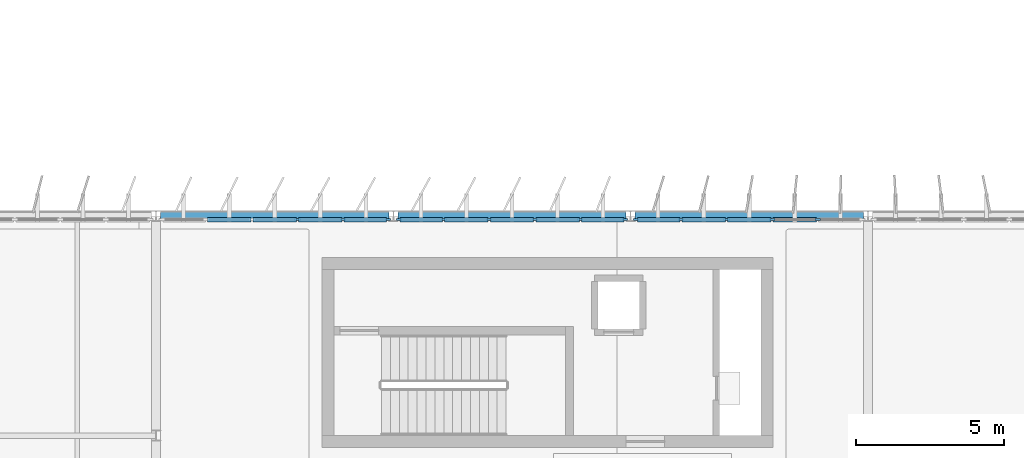
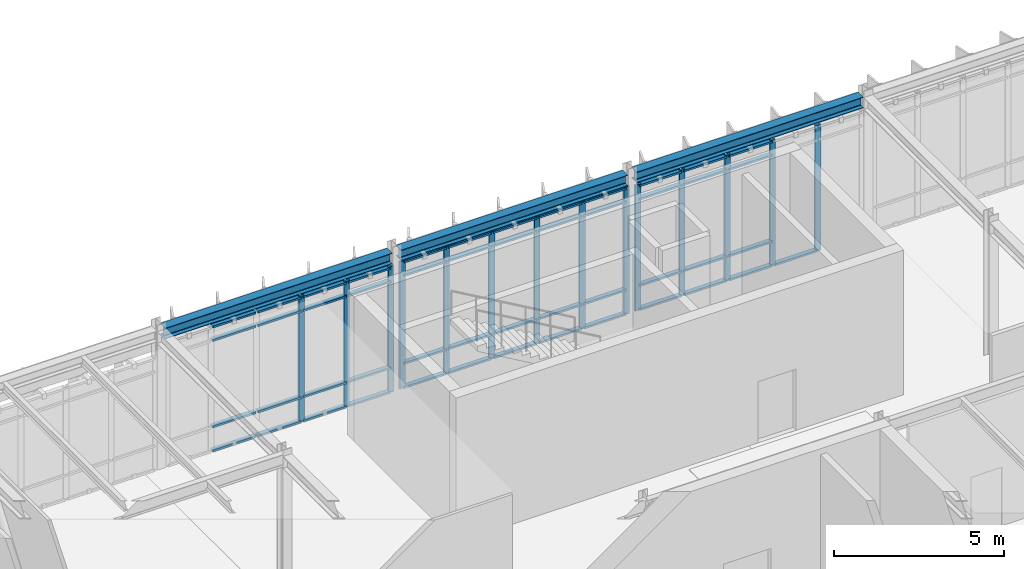
# One storey, part 14 of 48: 63 members, 3 beams, 3 elements without a shape of their own.
"""IFC4 building model written with IfcOpenShell, lengths in metres."""

from ifc_helpers import new_model, si_unit, direction, frame, origin, origin_2d, place, context, subcontext, project, spatial, rectangle, i_section, extrude, material, layer, layer_set, material_profile, profile_set, type_object, element, aggregate, save


model = new_model("IFC4")

# Units and contexts
model_context = context("Model", 3, precision=1e-05, world=origin(), true_north=direction((0.0, 1.0)))
body_context = subcontext(model_context, "Body", "Model", "MODEL_VIEW")
ifc_project = project(units=[si_unit("LENGTHUNIT", "METRE"), si_unit("AREAUNIT", "SQUARE_METRE"), si_unit("VOLUMEUNIT", "CUBIC_METRE"), si_unit("PLANEANGLEUNIT", "RADIAN"), si_unit("MASSUNIT", "GRAM", prefix="KILO")], contexts=[model_context])

# Site, building, storey
site_placement = place(None, origin())
site = spatial("IfcSite", under=ifc_project, at=site_placement, CompositionType="ELEMENT")
building_placement = place(site_placement, origin())
building = spatial("IfcBuilding", under=site, at=building_placement, Name="Valkorina Park Police Headquarters", CompositionType="ELEMENT")
storey_placement = place(building_placement, frame((0.0, 0.0, 18.10009765625)))
storey = spatial("IfcBuildingStorey", under=building, at=storey_placement, Name="L05", CompositionType="ELEMENT", Elevation=18.10009765625)

# Beams
ifc_material_1 = material(Name="Steel S355", Category="steel")
ifc_material_profile_1 = material_profile(ifc_material_1, i_section(OverallWidth=0.300048828125, OverallDepth=0.389892578125, WebThickness=0.010986328125, FlangeThickness=0.01904296875, FilletRadius=0.027099609375, at=origin_2d()), Name="HEA 400")
ifc_profile_set_1 = profile_set([ifc_material_profile_1], Name="Steel S355")
beam_type = type_object("IfcBeamType", Name="BM-S355-HEA400-SPN", PredefinedType="SPANDREL", material=ifc_profile_set_1)
for number, where, z_axis, x_axis, name in (
    (1, (32.949951171875, 59.199951171875, 4.784912109375), (1.0, 0.0, 0.0), (0.0, 1.0, 0.0), "L05 Framing Beam 2491"),
    (2, (40.949951171875, 59.199951171875, 4.784912109375), (1.0, 0.0, 0.0), (0.0, 1.0, 0.0), "L05 Framing Beam 2492"),
    (3, (48.949951171875, 59.199951171875, 4.784912109375), (1.0, 0.0, 0.0), (0.0, 1.0, 0.0), "L05 Framing Beam 2493"),
):
    element("IfcBeam", number, at=place(storey_placement, frame(where, z_axis=z_axis, x_axis=x_axis)), inside=storey, type_object=beam_type, Name=name, PredefinedType="SPANDREL", context=body_context, shape_type="SweptSolid", body=[
        extrude(i_section(OverallWidth=0.300048828125, OverallDepth=0.389892578125, WebThickness=0.010986328125, FlangeThickness=0.01904296875, FilletRadius=0.027099609375, at=origin_2d()), origin(), (0.0, 0.0, 1.0), 7.699951171875),
    ])

# Curtain wall, members
ifc_material_2 = material(Name="Thermally broken aluminium AW-6060", Category="aluminium")
ifc_layer_1 = layer(ifc_material_2, 0.18994140625)
ifc_layer_set_1 = layer_set([ifc_layer_1], Name="Thermally broken aluminium AW-6060")
curtain_wall_type_1 = type_object("IfcCurtainWallType", Name="CW-V5-7680x4520", PredefinedType="NOTDEFINED", material=ifc_layer_set_1)
curtain_wall_1_placement = place(storey_placement, origin())
curtain_wall_1 = element("IfcCurtainWall", 4, at=curtain_wall_1_placement, inside=storey, type_object=curtain_wall_type_1, Name="L05 Unitised Curtain Wall 082", PredefinedType="NOTDEFINED")
ifc_material_profile_2 = material_profile(ifc_material_2, rectangle(XDim=0.070068359375, YDim=0.18994140625, at=origin_2d()), Name="CWM-02 70x190")
ifc_profile_set_2 = profile_set([ifc_material_profile_2], Name="Thermally broken aluminium AW-6060")
member_type_1 = type_object("IfcMemberType", Name="CWM-70x190", PredefinedType="MULLION", material=ifc_profile_set_2)
member_1_placement = place(storey_placement, frame((37.568115234375, 59.080078125, 0.0), z_axis=(0.0, 0.0, 1.0), x_axis=(0.0, 1.0, 0.0)))
member_1 = element("IfcMember", 5, at=member_1_placement, type_object=member_type_1, Name="CW-V5-768-452 mullion 4", PredefinedType="MULLION", context=body_context, shape_type="SweptSolid", body=[
    extrude(rectangle(XDim=0.070068359375, YDim=0.18994140625, at=origin_2d()), origin(), (0.0, 0.0, 1.0), 4.52001953125),
])
member_2_placement = place(storey_placement, frame((39.10400390625, 59.080078125, 0.0), z_axis=(0.0, 0.0, 1.0), x_axis=(0.0, 1.0, 0.0)))
member_2 = element("IfcMember", 6, at=member_2_placement, type_object=member_type_1, Name="CW-V5-768-452 mullion 5", PredefinedType="MULLION", context=body_context, shape_type="SweptSolid", body=[
    extrude(rectangle(XDim=0.070068359375, YDim=0.18994140625, at=origin_2d()), origin(), (0.0, 0.0, 1.0), 4.52001953125),
])
member_3_placement = place(storey_placement, frame((40.60498046875, 59.080078125, 0.0), z_axis=(0.0, 0.0, 1.0), x_axis=(0.0, 1.0, 0.0)))
member_3 = element("IfcMember", 7, at=member_3_placement, type_object=member_type_1, Name="CW-V5-768-452 mullion 6", PredefinedType="MULLION", context=body_context, shape_type="SweptSolid", body=[
    extrude(rectangle(XDim=0.070068359375, YDim=0.18994140625, at=origin_2d()), origin(), (0.0, 0.0, 1.0), 4.52001953125),
])

ifc_layer_2 = layer(ifc_material_2, 0.18994140625)
ifc_layer_set_2 = layer_set([ifc_layer_2], Name="Thermally broken aluminium AW-6060")
curtain_wall_type_2 = type_object("IfcCurtainWallType", Name="CW-V5-7680x4580", PredefinedType="NOTDEFINED", material=ifc_layer_set_2)
curtain_wall_2_placement = place(storey_placement, origin())
curtain_wall_2 = element("IfcCurtainWall", 8, at=curtain_wall_2_placement, inside=storey, type_object=curtain_wall_type_2, Name="L05 Unitised Curtain Wall 083", PredefinedType="NOTDEFINED")
member_4_placement = place(storey_placement, frame((40.9951171875, 59.080078125, 0.0), z_axis=(0.0, 0.0, 1.0), x_axis=(0.0, 1.0, 0.0)))
member_4 = element("IfcMember", 9, at=member_4_placement, type_object=member_type_1, Name="CW-V5-768-458 mullion 1", PredefinedType="MULLION", context=body_context, shape_type="SweptSolid", body=[
    extrude(rectangle(XDim=0.070068359375, YDim=0.18994140625, at=origin_2d()), origin(), (0.0, 0.0, 1.0), 4.579833984375),
])
member_5_placement = place(storey_placement, frame((42.49609375, 59.080078125, 0.0), z_axis=(0.0, 0.0, 1.0), x_axis=(0.0, 1.0, 0.0)))
member_5 = element("IfcMember", 10, at=member_5_placement, type_object=member_type_1, Name="CW-V5-768-458 mullion 2", PredefinedType="MULLION", context=body_context, shape_type="SweptSolid", body=[
    extrude(rectangle(XDim=0.070068359375, YDim=0.18994140625, at=origin_2d()), origin(), (0.0, 0.0, 1.0), 4.579833984375),
])
member_6_placement = place(storey_placement, frame((44.031982421875, 59.080078125, 0.0), z_axis=(0.0, 0.0, 1.0), x_axis=(0.0, 1.0, 0.0)))
member_6 = element("IfcMember", 11, at=member_6_placement, type_object=member_type_1, Name="CW-V5-768-458 mullion 3", PredefinedType="MULLION", context=body_context, shape_type="SweptSolid", body=[
    extrude(rectangle(XDim=0.070068359375, YDim=0.18994140625, at=origin_2d()), origin(), (0.0, 0.0, 1.0), 4.579833984375),
])
member_7_placement = place(storey_placement, frame((45.568115234375, 59.080078125, 0.0), z_axis=(0.0, 0.0, 1.0), x_axis=(0.0, 1.0, 0.0)))
member_7 = element("IfcMember", 12, at=member_7_placement, type_object=member_type_1, Name="CW-V5-768-458 mullion 4", PredefinedType="MULLION", context=body_context, shape_type="SweptSolid", body=[
    extrude(rectangle(XDim=0.070068359375, YDim=0.18994140625, at=origin_2d()), origin(), (0.0, 0.0, 1.0), 4.579833984375),
])
member_8_placement = place(storey_placement, frame((47.10400390625, 59.080078125, 0.0), z_axis=(0.0, 0.0, 1.0), x_axis=(0.0, 1.0, 0.0)))
member_8 = element("IfcMember", 13, at=member_8_placement, type_object=member_type_1, Name="CW-V5-768-458 mullion 5", PredefinedType="MULLION", context=body_context, shape_type="SweptSolid", body=[
    extrude(rectangle(XDim=0.070068359375, YDim=0.18994140625, at=origin_2d()), origin(), (0.0, 0.0, 1.0), 4.579833984375),
])
member_9_placement = place(storey_placement, frame((48.60498046875, 59.080078125, 0.0), z_axis=(0.0, 0.0, 1.0), x_axis=(0.0, 1.0, 0.0)))
member_9 = element("IfcMember", 14, at=member_9_placement, type_object=member_type_1, Name="CW-V5-768-458 mullion 6", PredefinedType="MULLION", context=body_context, shape_type="SweptSolid", body=[
    extrude(rectangle(XDim=0.070068359375, YDim=0.18994140625, at=origin_2d()), origin(), (0.0, 0.0, 1.0), 4.579833984375),
])

curtain_wall_3_placement = place(storey_placement, origin())
curtain_wall_3 = element("IfcCurtainWall", 15, at=curtain_wall_3_placement, inside=storey, type_object=curtain_wall_type_1, Name="L05 Unitised Curtain Wall 084", PredefinedType="NOTDEFINED")
member_10_placement = place(storey_placement, frame((48.9951171875, 59.080078125, 0.0), z_axis=(0.0, 0.0, 1.0), x_axis=(0.0, 1.0, 0.0)))
member_10 = element("IfcMember", 16, at=member_10_placement, type_object=member_type_1, Name="CW-V5-768-452 mullion 1", PredefinedType="MULLION", context=body_context, shape_type="SweptSolid", body=[
    extrude(rectangle(XDim=0.070068359375, YDim=0.18994140625, at=origin_2d()), origin(), (0.0, 0.0, 1.0), 4.52001953125),
])
member_11_placement = place(storey_placement, frame((50.49609375, 59.080078125, 0.0), z_axis=(0.0, 0.0, 1.0), x_axis=(0.0, 1.0, 0.0)))
member_11 = element("IfcMember", 17, at=member_11_placement, type_object=member_type_1, Name="CW-V5-768-452 mullion 2", PredefinedType="MULLION", context=body_context, shape_type="SweptSolid", body=[
    extrude(rectangle(XDim=0.070068359375, YDim=0.18994140625, at=origin_2d()), origin(), (0.0, 0.0, 1.0), 4.52001953125),
])
member_12_placement = place(storey_placement, frame((52.031982421875, 59.080078125, 0.0), z_axis=(0.0, 0.0, 1.0), x_axis=(0.0, 1.0, 0.0)))
member_12 = element("IfcMember", 18, at=member_12_placement, type_object=member_type_1, Name="CW-V5-768-452 mullion 3", PredefinedType="MULLION", context=body_context, shape_type="SweptSolid", body=[
    extrude(rectangle(XDim=0.070068359375, YDim=0.18994140625, at=origin_2d()), origin(), (0.0, 0.0, 1.0), 4.52001953125),
])
member_13_placement = place(storey_placement, frame((53.568115234375, 59.080078125, 0.0), z_axis=(0.0, 0.0, 1.0), x_axis=(0.0, 1.0, 0.0)))
member_13 = element("IfcMember", 19, at=member_13_placement, type_object=member_type_1, Name="CW-V5-768-452 mullion 4", PredefinedType="MULLION", context=body_context, shape_type="SweptSolid", body=[
    extrude(rectangle(XDim=0.070068359375, YDim=0.18994140625, at=origin_2d()), origin(), (0.0, 0.0, 1.0), 4.52001953125),
])
member_14_placement = place(storey_placement, frame((55.10400390625, 59.080078125, 0.0), z_axis=(0.0, 0.0, 1.0), x_axis=(0.0, 1.0, 0.0)))
member_14 = element("IfcMember", 20, at=member_14_placement, type_object=member_type_1, Name="CW-V5-768-452 mullion 5", PredefinedType="MULLION", context=body_context, shape_type="SweptSolid", body=[
    extrude(rectangle(XDim=0.070068359375, YDim=0.18994140625, at=origin_2d()), origin(), (0.0, 0.0, 1.0), 4.52001953125),
])

# Member
ifc_material_profile_3 = material_profile(ifc_material_2, rectangle(XDim=0.14990234375, YDim=0.070068359375, at=origin_2d()), Name="CWT-02 150x70")
ifc_profile_set_3 = profile_set([ifc_material_profile_3], Name="Thermally broken aluminium AW-6060")
member_type_2 = type_object("IfcMemberType", Name="CWT-150x70", PredefinedType="USERDEFINED", material=ifc_profile_set_3)
member_15_placement = place(storey_placement, frame((34.531005859375, 59.080078125, 0.034912109375), z_axis=(1.0, 0.0, 0.0), x_axis=(0.0, 1.0, 0.0)))
member_15 = element("IfcMember", 21, at=member_15_placement, type_object=member_type_2, Name="CW-V5-768-452 transom 2.1", ObjectType="TRANSOM", PredefinedType="USERDEFINED", context=body_context, shape_type="SweptSolid", body=[
    extrude(rectangle(XDim=0.14990234375, YDim=0.070068359375, at=origin_2d()), origin(), (0.0, 0.0, 1.0), 1.466064453125),
])

member_16_placement = place(storey_placement, frame((34.531005859375, 59.080078125, 0.89990234375), z_axis=(1.0, 0.0, 0.0), x_axis=(0.0, 1.0, 0.0)))
member_16 = element("IfcMember", 22, at=member_16_placement, type_object=member_type_2, Name="CW-V5-768-452 transom 2.2", ObjectType="TRANSOM", PredefinedType="USERDEFINED", context=body_context, shape_type="SweptSolid", body=[
    extrude(rectangle(XDim=0.14990234375, YDim=0.070068359375, at=origin_2d()), origin(), (0.0, 0.0, 1.0), 1.466064453125),
])

member_17_placement = place(storey_placement, frame((34.531005859375, 59.080078125, 4.0), z_axis=(1.0, 0.0, 0.0), x_axis=(0.0, 1.0, 0.0)))
member_17 = element("IfcMember", 23, at=member_17_placement, type_object=member_type_2, Name="CW-V5-768-452 transom 2.3", ObjectType="TRANSOM", PredefinedType="USERDEFINED", context=body_context, shape_type="SweptSolid", body=[
    extrude(rectangle(XDim=0.14990234375, YDim=0.070068359375, at=origin_2d()), origin(), (0.0, 0.0, 1.0), 1.466064453125),
])

member_18_placement = place(storey_placement, frame((34.531005859375, 59.080078125, 4.48486328125), z_axis=(1.0, 0.0, 0.0), x_axis=(0.0, 1.0, 0.0)))
member_18 = element("IfcMember", 24, at=member_18_placement, type_object=member_type_2, Name="CW-V5-768-452 transom 2.4", ObjectType="TRANSOM", PredefinedType="USERDEFINED", context=body_context, shape_type="SweptSolid", body=[
    extrude(rectangle(XDim=0.14990234375, YDim=0.070068359375, at=origin_2d()), origin(), (0.0, 0.0, 1.0), 1.466064453125),
])

member_19_placement = place(storey_placement, frame((36.06689453125, 59.080078125, 0.034912109375), z_axis=(1.0, 0.0, 0.0), x_axis=(0.0, 1.0, 0.0)))
member_19 = element("IfcMember", 25, at=member_19_placement, type_object=member_type_2, Name="CW-V5-768-452 transom 3.1", ObjectType="TRANSOM", PredefinedType="USERDEFINED", context=body_context, shape_type="SweptSolid", body=[
    extrude(rectangle(XDim=0.14990234375, YDim=0.070068359375, at=origin_2d()), origin(), (0.0, 0.0, 1.0), 1.466064453125),
])

member_20_placement = place(storey_placement, frame((36.06689453125, 59.080078125, 0.89990234375), z_axis=(1.0, 0.0, 0.0), x_axis=(0.0, 1.0, 0.0)))
member_20 = element("IfcMember", 26, at=member_20_placement, type_object=member_type_2, Name="CW-V5-768-452 transom 3.2", ObjectType="TRANSOM", PredefinedType="USERDEFINED", context=body_context, shape_type="SweptSolid", body=[
    extrude(rectangle(XDim=0.14990234375, YDim=0.070068359375, at=origin_2d()), origin(), (0.0, 0.0, 1.0), 1.466064453125),
])

member_21_placement = place(storey_placement, frame((36.06689453125, 59.080078125, 4.0), z_axis=(1.0, 0.0, 0.0), x_axis=(0.0, 1.0, 0.0)))
member_21 = element("IfcMember", 27, at=member_21_placement, type_object=member_type_2, Name="CW-V5-768-452 transom 3.3", ObjectType="TRANSOM", PredefinedType="USERDEFINED", context=body_context, shape_type="SweptSolid", body=[
    extrude(rectangle(XDim=0.14990234375, YDim=0.070068359375, at=origin_2d()), origin(), (0.0, 0.0, 1.0), 1.466064453125),
])

member_22_placement = place(storey_placement, frame((36.06689453125, 59.080078125, 4.48486328125), z_axis=(1.0, 0.0, 0.0), x_axis=(0.0, 1.0, 0.0)))
member_22 = element("IfcMember", 28, at=member_22_placement, type_object=member_type_2, Name="CW-V5-768-452 transom 3.4", ObjectType="TRANSOM", PredefinedType="USERDEFINED", context=body_context, shape_type="SweptSolid", body=[
    extrude(rectangle(XDim=0.14990234375, YDim=0.070068359375, at=origin_2d()), origin(), (0.0, 0.0, 1.0), 1.466064453125),
])

member_23_placement = place(storey_placement, frame((37.60302734375, 59.080078125, 0.034912109375), z_axis=(1.0, 0.0, 0.0), x_axis=(0.0, 1.0, 0.0)))
member_23 = element("IfcMember", 29, at=member_23_placement, type_object=member_type_2, Name="CW-V5-768-452 transom 4.1", ObjectType="TRANSOM", PredefinedType="USERDEFINED", context=body_context, shape_type="SweptSolid", body=[
    extrude(rectangle(XDim=0.14990234375, YDim=0.070068359375, at=origin_2d()), origin(), (0.0, 0.0, 1.0), 1.466064453125),
])

member_24_placement = place(storey_placement, frame((37.60302734375, 59.080078125, 0.89990234375), z_axis=(1.0, 0.0, 0.0), x_axis=(0.0, 1.0, 0.0)))
member_24 = element("IfcMember", 30, at=member_24_placement, type_object=member_type_2, Name="CW-V5-768-452 transom 4.2", ObjectType="TRANSOM", PredefinedType="USERDEFINED", context=body_context, shape_type="SweptSolid", body=[
    extrude(rectangle(XDim=0.14990234375, YDim=0.070068359375, at=origin_2d()), origin(), (0.0, 0.0, 1.0), 1.466064453125),
])

member_25_placement = place(storey_placement, frame((37.60302734375, 59.080078125, 4.0), z_axis=(1.0, 0.0, 0.0), x_axis=(0.0, 1.0, 0.0)))
member_25 = element("IfcMember", 31, at=member_25_placement, type_object=member_type_2, Name="CW-V5-768-452 transom 4.3", ObjectType="TRANSOM", PredefinedType="USERDEFINED", context=body_context, shape_type="SweptSolid", body=[
    extrude(rectangle(XDim=0.14990234375, YDim=0.070068359375, at=origin_2d()), origin(), (0.0, 0.0, 1.0), 1.466064453125),
])

member_26_placement = place(storey_placement, frame((37.60302734375, 59.080078125, 4.48486328125), z_axis=(1.0, 0.0, 0.0), x_axis=(0.0, 1.0, 0.0)))
member_26 = element("IfcMember", 32, at=member_26_placement, type_object=member_type_2, Name="CW-V5-768-452 transom 4.4", ObjectType="TRANSOM", PredefinedType="USERDEFINED", context=body_context, shape_type="SweptSolid", body=[
    extrude(rectangle(XDim=0.14990234375, YDim=0.070068359375, at=origin_2d()), origin(), (0.0, 0.0, 1.0), 1.466064453125),
])

member_27_placement = place(storey_placement, frame((39.138916015625, 59.080078125, 0.034912109375), z_axis=(1.0, 0.0, 0.0), x_axis=(0.0, 1.0, 0.0)))
member_27 = element("IfcMember", 33, at=member_27_placement, type_object=member_type_2, Name="CW-V5-768-452 transom 5.1", ObjectType="TRANSOM", PredefinedType="USERDEFINED", context=body_context, shape_type="SweptSolid", body=[
    extrude(rectangle(XDim=0.14990234375, YDim=0.070068359375, at=origin_2d()), origin(), (0.0, 0.0, 1.0), 1.43115234375),
])

member_28_placement = place(storey_placement, frame((39.138916015625, 59.080078125, 0.89990234375), z_axis=(1.0, 0.0, 0.0), x_axis=(0.0, 1.0, 0.0)))
member_28 = element("IfcMember", 34, at=member_28_placement, type_object=member_type_2, Name="CW-V5-768-452 transom 5.2", ObjectType="TRANSOM", PredefinedType="USERDEFINED", context=body_context, shape_type="SweptSolid", body=[
    extrude(rectangle(XDim=0.14990234375, YDim=0.070068359375, at=origin_2d()), origin(), (0.0, 0.0, 1.0), 1.43115234375),
])

member_29_placement = place(storey_placement, frame((39.138916015625, 59.080078125, 4.0), z_axis=(1.0, 0.0, 0.0), x_axis=(0.0, 1.0, 0.0)))
member_29 = element("IfcMember", 35, at=member_29_placement, type_object=member_type_2, Name="CW-V5-768-452 transom 5.3", ObjectType="TRANSOM", PredefinedType="USERDEFINED", context=body_context, shape_type="SweptSolid", body=[
    extrude(rectangle(XDim=0.14990234375, YDim=0.070068359375, at=origin_2d()), origin(), (0.0, 0.0, 1.0), 1.43115234375),
])

member_30_placement = place(storey_placement, frame((39.138916015625, 59.080078125, 4.48486328125), z_axis=(1.0, 0.0, 0.0), x_axis=(0.0, 1.0, 0.0)))
member_30 = element("IfcMember", 36, at=member_30_placement, type_object=member_type_2, Name="CW-V5-768-452 transom 5.4", ObjectType="TRANSOM", PredefinedType="USERDEFINED", context=body_context, shape_type="SweptSolid", body=[
    extrude(rectangle(XDim=0.14990234375, YDim=0.070068359375, at=origin_2d()), origin(), (0.0, 0.0, 1.0), 1.43115234375),
])

aggregate(curtain_wall_1, [member_1, member_2, member_3, member_15, member_16, member_17, member_18, member_19, member_20, member_21, member_22, member_23, member_24, member_25, member_26, member_27, member_28, member_29, member_30])

member_31_placement = place(storey_placement, frame((41.030029296875, 59.080078125, 0.034912109375), z_axis=(1.0, 0.0, 0.0), x_axis=(0.0, 1.0, 0.0)))
member_31 = element("IfcMember", 37, at=member_31_placement, type_object=member_type_2, Name="CW-V5-768-458 transom 1.1", ObjectType="TRANSOM", PredefinedType="USERDEFINED", context=body_context, shape_type="SweptSolid", body=[
    extrude(rectangle(XDim=0.14990234375, YDim=0.070068359375, at=origin_2d()), origin(), (0.0, 0.0, 1.0), 1.430908203125),
])

member_32_placement = place(storey_placement, frame((41.030029296875, 59.080078125, 0.89990234375), z_axis=(1.0, 0.0, 0.0), x_axis=(0.0, 1.0, 0.0)))
member_32 = element("IfcMember", 38, at=member_32_placement, type_object=member_type_2, Name="CW-V5-768-458 transom 1.2", ObjectType="TRANSOM", PredefinedType="USERDEFINED", context=body_context, shape_type="SweptSolid", body=[
    extrude(rectangle(XDim=0.14990234375, YDim=0.070068359375, at=origin_2d()), origin(), (0.0, 0.0, 1.0), 1.430908203125),
])

member_33_placement = place(storey_placement, frame((41.030029296875, 59.080078125, 4.059814453125), z_axis=(1.0, 0.0, 0.0), x_axis=(0.0, 1.0, 0.0)))
member_33 = element("IfcMember", 39, at=member_33_placement, type_object=member_type_2, Name="CW-V5-768-458 transom 1.3", ObjectType="TRANSOM", PredefinedType="USERDEFINED", context=body_context, shape_type="SweptSolid", body=[
    extrude(rectangle(XDim=0.14990234375, YDim=0.070068359375, at=origin_2d()), origin(), (0.0, 0.0, 1.0), 1.430908203125),
])

member_34_placement = place(storey_placement, frame((41.030029296875, 59.080078125, 4.544921875), z_axis=(1.0, 0.0, 0.0), x_axis=(0.0, 1.0, 0.0)))
member_34 = element("IfcMember", 40, at=member_34_placement, type_object=member_type_2, Name="CW-V5-768-458 transom 1.4", ObjectType="TRANSOM", PredefinedType="USERDEFINED", context=body_context, shape_type="SweptSolid", body=[
    extrude(rectangle(XDim=0.14990234375, YDim=0.070068359375, at=origin_2d()), origin(), (0.0, 0.0, 1.0), 1.430908203125),
])

member_35_placement = place(storey_placement, frame((42.531005859375, 59.080078125, 0.034912109375), z_axis=(1.0, 0.0, 0.0), x_axis=(0.0, 1.0, 0.0)))
member_35 = element("IfcMember", 41, at=member_35_placement, type_object=member_type_2, Name="CW-V5-768-458 transom 2.1", ObjectType="TRANSOM", PredefinedType="USERDEFINED", context=body_context, shape_type="SweptSolid", body=[
    extrude(rectangle(XDim=0.14990234375, YDim=0.070068359375, at=origin_2d()), origin(), (0.0, 0.0, 1.0), 1.466064453125),
])

member_36_placement = place(storey_placement, frame((42.531005859375, 59.080078125, 0.89990234375), z_axis=(1.0, 0.0, 0.0), x_axis=(0.0, 1.0, 0.0)))
member_36 = element("IfcMember", 42, at=member_36_placement, type_object=member_type_2, Name="CW-V5-768-458 transom 2.2", ObjectType="TRANSOM", PredefinedType="USERDEFINED", context=body_context, shape_type="SweptSolid", body=[
    extrude(rectangle(XDim=0.14990234375, YDim=0.070068359375, at=origin_2d()), origin(), (0.0, 0.0, 1.0), 1.466064453125),
])

member_37_placement = place(storey_placement, frame((42.531005859375, 59.080078125, 4.059814453125), z_axis=(1.0, 0.0, 0.0), x_axis=(0.0, 1.0, 0.0)))
member_37 = element("IfcMember", 43, at=member_37_placement, type_object=member_type_2, Name="CW-V5-768-458 transom 2.3", ObjectType="TRANSOM", PredefinedType="USERDEFINED", context=body_context, shape_type="SweptSolid", body=[
    extrude(rectangle(XDim=0.14990234375, YDim=0.070068359375, at=origin_2d()), origin(), (0.0, 0.0, 1.0), 1.466064453125),
])

member_38_placement = place(storey_placement, frame((42.531005859375, 59.080078125, 4.544921875), z_axis=(1.0, 0.0, 0.0), x_axis=(0.0, 1.0, 0.0)))
member_38 = element("IfcMember", 44, at=member_38_placement, type_object=member_type_2, Name="CW-V5-768-458 transom 2.4", ObjectType="TRANSOM", PredefinedType="USERDEFINED", context=body_context, shape_type="SweptSolid", body=[
    extrude(rectangle(XDim=0.14990234375, YDim=0.070068359375, at=origin_2d()), origin(), (0.0, 0.0, 1.0), 1.466064453125),
])

member_39_placement = place(storey_placement, frame((44.06689453125, 59.080078125, 0.034912109375), z_axis=(1.0, 0.0, 0.0), x_axis=(0.0, 1.0, 0.0)))
member_39 = element("IfcMember", 45, at=member_39_placement, type_object=member_type_2, Name="CW-V5-768-458 transom 3.1", ObjectType="TRANSOM", PredefinedType="USERDEFINED", context=body_context, shape_type="SweptSolid", body=[
    extrude(rectangle(XDim=0.14990234375, YDim=0.070068359375, at=origin_2d()), origin(), (0.0, 0.0, 1.0), 1.466064453125),
])

member_40_placement = place(storey_placement, frame((44.06689453125, 59.080078125, 0.89990234375), z_axis=(1.0, 0.0, 0.0), x_axis=(0.0, 1.0, 0.0)))
member_40 = element("IfcMember", 46, at=member_40_placement, type_object=member_type_2, Name="CW-V5-768-458 transom 3.2", ObjectType="TRANSOM", PredefinedType="USERDEFINED", context=body_context, shape_type="SweptSolid", body=[
    extrude(rectangle(XDim=0.14990234375, YDim=0.070068359375, at=origin_2d()), origin(), (0.0, 0.0, 1.0), 1.466064453125),
])

member_41_placement = place(storey_placement, frame((44.06689453125, 59.080078125, 4.059814453125), z_axis=(1.0, 0.0, 0.0), x_axis=(0.0, 1.0, 0.0)))
member_41 = element("IfcMember", 47, at=member_41_placement, type_object=member_type_2, Name="CW-V5-768-458 transom 3.3", ObjectType="TRANSOM", PredefinedType="USERDEFINED", context=body_context, shape_type="SweptSolid", body=[
    extrude(rectangle(XDim=0.14990234375, YDim=0.070068359375, at=origin_2d()), origin(), (0.0, 0.0, 1.0), 1.466064453125),
])

member_42_placement = place(storey_placement, frame((44.06689453125, 59.080078125, 4.544921875), z_axis=(1.0, 0.0, 0.0), x_axis=(0.0, 1.0, 0.0)))
member_42 = element("IfcMember", 48, at=member_42_placement, type_object=member_type_2, Name="CW-V5-768-458 transom 3.4", ObjectType="TRANSOM", PredefinedType="USERDEFINED", context=body_context, shape_type="SweptSolid", body=[
    extrude(rectangle(XDim=0.14990234375, YDim=0.070068359375, at=origin_2d()), origin(), (0.0, 0.0, 1.0), 1.466064453125),
])

member_43_placement = place(storey_placement, frame((45.60302734375, 59.080078125, 0.034912109375), z_axis=(1.0, 0.0, 0.0), x_axis=(0.0, 1.0, 0.0)))
member_43 = element("IfcMember", 49, at=member_43_placement, type_object=member_type_2, Name="CW-V5-768-458 transom 4.1", ObjectType="TRANSOM", PredefinedType="USERDEFINED", context=body_context, shape_type="SweptSolid", body=[
    extrude(rectangle(XDim=0.14990234375, YDim=0.070068359375, at=origin_2d()), origin(), (0.0, 0.0, 1.0), 1.466064453125),
])

member_44_placement = place(storey_placement, frame((45.60302734375, 59.080078125, 0.89990234375), z_axis=(1.0, 0.0, 0.0), x_axis=(0.0, 1.0, 0.0)))
member_44 = element("IfcMember", 50, at=member_44_placement, type_object=member_type_2, Name="CW-V5-768-458 transom 4.2", ObjectType="TRANSOM", PredefinedType="USERDEFINED", context=body_context, shape_type="SweptSolid", body=[
    extrude(rectangle(XDim=0.14990234375, YDim=0.070068359375, at=origin_2d()), origin(), (0.0, 0.0, 1.0), 1.466064453125),
])

member_45_placement = place(storey_placement, frame((45.60302734375, 59.080078125, 4.059814453125), z_axis=(1.0, 0.0, 0.0), x_axis=(0.0, 1.0, 0.0)))
member_45 = element("IfcMember", 51, at=member_45_placement, type_object=member_type_2, Name="CW-V5-768-458 transom 4.3", ObjectType="TRANSOM", PredefinedType="USERDEFINED", context=body_context, shape_type="SweptSolid", body=[
    extrude(rectangle(XDim=0.14990234375, YDim=0.070068359375, at=origin_2d()), origin(), (0.0, 0.0, 1.0), 1.466064453125),
])

member_46_placement = place(storey_placement, frame((45.60302734375, 59.080078125, 4.544921875), z_axis=(1.0, 0.0, 0.0), x_axis=(0.0, 1.0, 0.0)))
member_46 = element("IfcMember", 52, at=member_46_placement, type_object=member_type_2, Name="CW-V5-768-458 transom 4.4", ObjectType="TRANSOM", PredefinedType="USERDEFINED", context=body_context, shape_type="SweptSolid", body=[
    extrude(rectangle(XDim=0.14990234375, YDim=0.070068359375, at=origin_2d()), origin(), (0.0, 0.0, 1.0), 1.466064453125),
])

member_47_placement = place(storey_placement, frame((47.138916015625, 59.080078125, 0.034912109375), z_axis=(1.0, 0.0, 0.0), x_axis=(0.0, 1.0, 0.0)))
member_47 = element("IfcMember", 53, at=member_47_placement, type_object=member_type_2, Name="CW-V5-768-458 transom 5.1", ObjectType="TRANSOM", PredefinedType="USERDEFINED", context=body_context, shape_type="SweptSolid", body=[
    extrude(rectangle(XDim=0.14990234375, YDim=0.070068359375, at=origin_2d()), origin(), (0.0, 0.0, 1.0), 1.43115234375),
])

member_48_placement = place(storey_placement, frame((47.138916015625, 59.080078125, 0.89990234375), z_axis=(1.0, 0.0, 0.0), x_axis=(0.0, 1.0, 0.0)))
member_48 = element("IfcMember", 54, at=member_48_placement, type_object=member_type_2, Name="CW-V5-768-458 transom 5.2", ObjectType="TRANSOM", PredefinedType="USERDEFINED", context=body_context, shape_type="SweptSolid", body=[
    extrude(rectangle(XDim=0.14990234375, YDim=0.070068359375, at=origin_2d()), origin(), (0.0, 0.0, 1.0), 1.43115234375),
])

member_49_placement = place(storey_placement, frame((47.138916015625, 59.080078125, 4.059814453125), z_axis=(1.0, 0.0, 0.0), x_axis=(0.0, 1.0, 0.0)))
member_49 = element("IfcMember", 55, at=member_49_placement, type_object=member_type_2, Name="CW-V5-768-458 transom 5.3", ObjectType="TRANSOM", PredefinedType="USERDEFINED", context=body_context, shape_type="SweptSolid", body=[
    extrude(rectangle(XDim=0.14990234375, YDim=0.070068359375, at=origin_2d()), origin(), (0.0, 0.0, 1.0), 1.43115234375),
])

member_50_placement = place(storey_placement, frame((47.138916015625, 59.080078125, 4.544921875), z_axis=(1.0, 0.0, 0.0), x_axis=(0.0, 1.0, 0.0)))
member_50 = element("IfcMember", 56, at=member_50_placement, type_object=member_type_2, Name="CW-V5-768-458 transom 5.4", ObjectType="TRANSOM", PredefinedType="USERDEFINED", context=body_context, shape_type="SweptSolid", body=[
    extrude(rectangle(XDim=0.14990234375, YDim=0.070068359375, at=origin_2d()), origin(), (0.0, 0.0, 1.0), 1.43115234375),
])

aggregate(curtain_wall_2, [member_4, member_5, member_6, member_7, member_8, member_9, member_31, member_32, member_33, member_34, member_35, member_36, member_37, member_38, member_39, member_40, member_41, member_42, member_43, member_44, member_45, member_46, member_47, member_48, member_49, member_50])

member_51_placement = place(storey_placement, frame((49.030029296875, 59.080078125, 0.034912109375), z_axis=(1.0, 0.0, 0.0), x_axis=(0.0, 1.0, 0.0)))
member_51 = element("IfcMember", 57, at=member_51_placement, type_object=member_type_2, Name="CW-V5-768-452 transom 1.1", ObjectType="TRANSOM", PredefinedType="USERDEFINED", context=body_context, shape_type="SweptSolid", body=[
    extrude(rectangle(XDim=0.14990234375, YDim=0.070068359375, at=origin_2d()), origin(), (0.0, 0.0, 1.0), 1.430908203125),
])

member_52_placement = place(storey_placement, frame((49.030029296875, 59.080078125, 0.89990234375), z_axis=(1.0, 0.0, 0.0), x_axis=(0.0, 1.0, 0.0)))
member_52 = element("IfcMember", 58, at=member_52_placement, type_object=member_type_2, Name="CW-V5-768-452 transom 1.2", ObjectType="TRANSOM", PredefinedType="USERDEFINED", context=body_context, shape_type="SweptSolid", body=[
    extrude(rectangle(XDim=0.14990234375, YDim=0.070068359375, at=origin_2d()), origin(), (0.0, 0.0, 1.0), 1.430908203125),
])

member_53_placement = place(storey_placement, frame((49.030029296875, 59.080078125, 4.0), z_axis=(1.0, 0.0, 0.0), x_axis=(0.0, 1.0, 0.0)))
member_53 = element("IfcMember", 59, at=member_53_placement, type_object=member_type_2, Name="CW-V5-768-452 transom 1.3", ObjectType="TRANSOM", PredefinedType="USERDEFINED", context=body_context, shape_type="SweptSolid", body=[
    extrude(rectangle(XDim=0.14990234375, YDim=0.070068359375, at=origin_2d()), origin(), (0.0, 0.0, 1.0), 1.430908203125),
])

member_54_placement = place(storey_placement, frame((49.030029296875, 59.080078125, 4.48486328125), z_axis=(1.0, 0.0, 0.0), x_axis=(0.0, 1.0, 0.0)))
member_54 = element("IfcMember", 60, at=member_54_placement, type_object=member_type_2, Name="CW-V5-768-452 transom 1.4", ObjectType="TRANSOM", PredefinedType="USERDEFINED", context=body_context, shape_type="SweptSolid", body=[
    extrude(rectangle(XDim=0.14990234375, YDim=0.070068359375, at=origin_2d()), origin(), (0.0, 0.0, 1.0), 1.430908203125),
])

member_55_placement = place(storey_placement, frame((50.531005859375, 59.080078125, 0.034912109375), z_axis=(1.0, 0.0, 0.0), x_axis=(0.0, 1.0, 0.0)))
member_55 = element("IfcMember", 61, at=member_55_placement, type_object=member_type_2, Name="CW-V5-768-452 transom 2.1", ObjectType="TRANSOM", PredefinedType="USERDEFINED", context=body_context, shape_type="SweptSolid", body=[
    extrude(rectangle(XDim=0.14990234375, YDim=0.070068359375, at=origin_2d()), origin(), (0.0, 0.0, 1.0), 1.466064453125),
])

member_56_placement = place(storey_placement, frame((50.531005859375, 59.080078125, 0.89990234375), z_axis=(1.0, 0.0, 0.0), x_axis=(0.0, 1.0, 0.0)))
member_56 = element("IfcMember", 62, at=member_56_placement, type_object=member_type_2, Name="CW-V5-768-452 transom 2.2", ObjectType="TRANSOM", PredefinedType="USERDEFINED", context=body_context, shape_type="SweptSolid", body=[
    extrude(rectangle(XDim=0.14990234375, YDim=0.070068359375, at=origin_2d()), origin(), (0.0, 0.0, 1.0), 1.466064453125),
])

member_57_placement = place(storey_placement, frame((50.531005859375, 59.080078125, 4.0), z_axis=(1.0, 0.0, 0.0), x_axis=(0.0, 1.0, 0.0)))
member_57 = element("IfcMember", 63, at=member_57_placement, type_object=member_type_2, Name="CW-V5-768-452 transom 2.3", ObjectType="TRANSOM", PredefinedType="USERDEFINED", context=body_context, shape_type="SweptSolid", body=[
    extrude(rectangle(XDim=0.14990234375, YDim=0.070068359375, at=origin_2d()), origin(), (0.0, 0.0, 1.0), 1.466064453125),
])

member_58_placement = place(storey_placement, frame((50.531005859375, 59.080078125, 4.48486328125), z_axis=(1.0, 0.0, 0.0), x_axis=(0.0, 1.0, 0.0)))
member_58 = element("IfcMember", 64, at=member_58_placement, type_object=member_type_2, Name="CW-V5-768-452 transom 2.4", ObjectType="TRANSOM", PredefinedType="USERDEFINED", context=body_context, shape_type="SweptSolid", body=[
    extrude(rectangle(XDim=0.14990234375, YDim=0.070068359375, at=origin_2d()), origin(), (0.0, 0.0, 1.0), 1.466064453125),
])

member_59_placement = place(storey_placement, frame((52.06689453125, 59.080078125, 0.034912109375), z_axis=(1.0, 0.0, 0.0), x_axis=(0.0, 1.0, 0.0)))
member_59 = element("IfcMember", 65, at=member_59_placement, type_object=member_type_2, Name="CW-V5-768-452 transom 3.1", ObjectType="TRANSOM", PredefinedType="USERDEFINED", context=body_context, shape_type="SweptSolid", body=[
    extrude(rectangle(XDim=0.14990234375, YDim=0.070068359375, at=origin_2d()), origin(), (0.0, 0.0, 1.0), 1.466064453125),
])

member_60_placement = place(storey_placement, frame((52.06689453125, 59.080078125, 0.89990234375), z_axis=(1.0, 0.0, 0.0), x_axis=(0.0, 1.0, 0.0)))
member_60 = element("IfcMember", 66, at=member_60_placement, type_object=member_type_2, Name="CW-V5-768-452 transom 3.2", ObjectType="TRANSOM", PredefinedType="USERDEFINED", context=body_context, shape_type="SweptSolid", body=[
    extrude(rectangle(XDim=0.14990234375, YDim=0.070068359375, at=origin_2d()), origin(), (0.0, 0.0, 1.0), 1.466064453125),
])

member_61_placement = place(storey_placement, frame((52.06689453125, 59.080078125, 4.0), z_axis=(1.0, 0.0, 0.0), x_axis=(0.0, 1.0, 0.0)))
member_61 = element("IfcMember", 67, at=member_61_placement, type_object=member_type_2, Name="CW-V5-768-452 transom 3.3", ObjectType="TRANSOM", PredefinedType="USERDEFINED", context=body_context, shape_type="SweptSolid", body=[
    extrude(rectangle(XDim=0.14990234375, YDim=0.070068359375, at=origin_2d()), origin(), (0.0, 0.0, 1.0), 1.466064453125),
])

member_62_placement = place(storey_placement, frame((52.06689453125, 59.080078125, 4.48486328125), z_axis=(1.0, 0.0, 0.0), x_axis=(0.0, 1.0, 0.0)))
member_62 = element("IfcMember", 68, at=member_62_placement, type_object=member_type_2, Name="CW-V5-768-452 transom 3.4", ObjectType="TRANSOM", PredefinedType="USERDEFINED", context=body_context, shape_type="SweptSolid", body=[
    extrude(rectangle(XDim=0.14990234375, YDim=0.070068359375, at=origin_2d()), origin(), (0.0, 0.0, 1.0), 1.466064453125),
])

member_63_placement = place(storey_placement, frame((53.60302734375, 59.080078125, 0.034912109375), z_axis=(1.0, 0.0, 0.0), x_axis=(0.0, 1.0, 0.0)))
member_63 = element("IfcMember", 69, at=member_63_placement, type_object=member_type_2, Name="CW-V5-768-452 transom 4.1", ObjectType="TRANSOM", PredefinedType="USERDEFINED", context=body_context, shape_type="SweptSolid", body=[
    extrude(rectangle(XDim=0.14990234375, YDim=0.070068359375, at=origin_2d()), origin(), (0.0, 0.0, 1.0), 1.466064453125),
])

aggregate(curtain_wall_3, [member_10, member_11, member_12, member_13, member_14, member_51, member_52, member_53, member_54, member_55, member_56, member_57, member_58, member_59, member_60, member_61, member_62, member_63])

save(model, "model.ifc")
